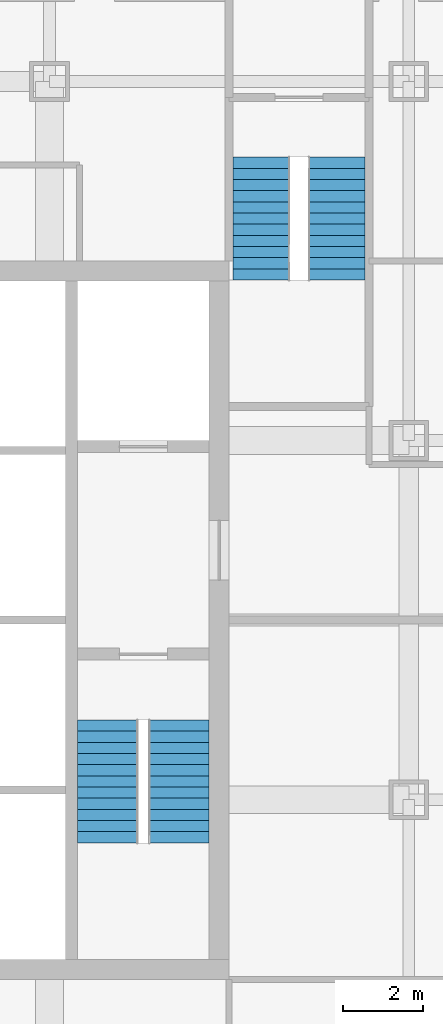
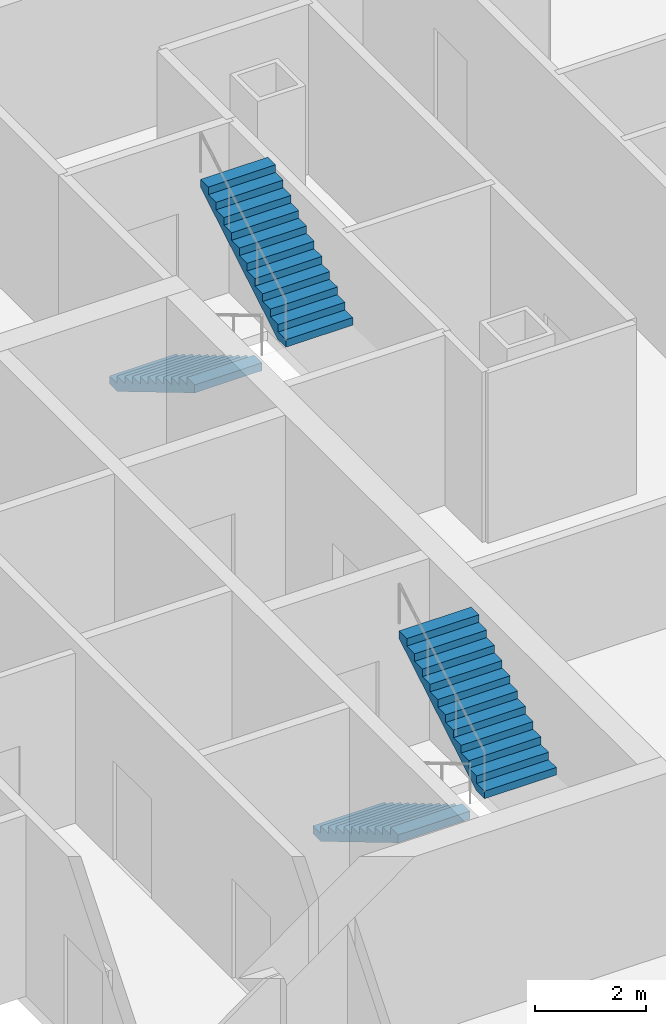
# One storey, part 12 of 13: 4 stair flights, 2 elements without a shape of their own.
"""IFC4 building model written with IfcOpenShell, lengths in metres."""

from ifc_helpers import new_model, si_unit, direction, frame, origin, place, context, subcontext, project, spatial, polyline, outline, extrude, material, type_object, element, aggregate, save


model = new_model("IFC4")

# Units and contexts
model_context = context("Model", 3, precision=1e-05, world=origin(), true_north=direction((0.0, 1.0)))
body_context = subcontext(model_context, "Body", "Model", "MODEL_VIEW")
ifc_project = project(units=[si_unit("LENGTHUNIT", "METRE"), si_unit("AREAUNIT", "SQUARE_METRE"), si_unit("VOLUMEUNIT", "CUBIC_METRE"), si_unit("PLANEANGLEUNIT", "RADIAN"), si_unit("MASSUNIT", "GRAM", prefix="KILO")], contexts=[model_context])

# Site, building, storey
site_placement = place(None, origin())
site = spatial("IfcSite", under=ifc_project, at=site_placement, CompositionType="ELEMENT")
building_placement = place(site_placement, origin())
building = spatial("IfcBuilding", under=site, at=building_placement, Name="Malebo Sky Hospital", CompositionType="ELEMENT")
storey_placement = place(building_placement, frame((0.0, 0.0, 43.0)))
storey = spatial("IfcBuildingStorey", under=building, at=storey_placement, Name="L09", CompositionType="ELEMENT", Elevation=43.0)

# Stair, stair flights
ifc_material = material(Name="Concrete C40/50", Category="concrete")
stair_type_1 = type_object("IfcStairType", Name="HALF-TURN STAIR 1400 R167", PredefinedType="HALF_TURN_STAIR", material=ifc_material)
stair_1_placement = place(storey_placement, origin())
stair_1 = element("IfcStair", 1, at=stair_1_placement, inside=storey, type_object=stair_type_1, Name="Stair S3 L09 type ST1B", PredefinedType="HALF_TURN_STAIR")
stair_flight_type_1 = type_object("IfcStairFlightType", Name="STAIR FLIGHT 1400 R167", PredefinedType="STRAIGHT", material=ifc_material)
stair_flight_1_placement = place(storey_placement, frame((69.800048828125, 73.60009765625, 0.0), z_axis=(0.0, 0.0, 1.0), x_axis=(0.0, -1.0, 0.0)))
stair_flight_1 = element("IfcStairFlight", 2, at=stair_flight_1_placement, type_object=stair_flight_type_1, Name="S3 flight 1 type SF1B", NumberOfRisers=12, NumberOfTreads=11, PredefinedType="STRAIGHT", RiserHeight=0.166666667, TreadLength=0.28, context=body_context, shape_type="SweptSolid", body=[
    extrude(outline(polyline([(0.0, 0.0), (0.0, 0.166748046875), (0.280029296875, 0.166748046875), (0.280029296875, 0.333251953125), (0.56005859375, 0.333251953125), (0.56005859375, 0.5), (0.840087890625, 0.5), (0.840087890625, 0.666748046875), (1.1201171875, 0.666748046875), (1.1201171875, 0.833251953125), (1.39990234375, 0.833251953125), (1.39990234375, 1.0), (1.679931640625, 1.0), (1.679931640625, 1.166748046875), (1.9599609375, 1.166748046875), (1.9599609375, 1.333251953125), (2.239990234375, 1.333251953125), (2.239990234375, 1.5), (2.52001953125, 1.5), (2.52001953125, 1.666748046875), (2.800048828125, 1.666748046875), (2.800048828125, 1.833251953125), (3.080078125, 1.833251953125), (3.080078125, 2.0), (3.080078125, 1.658935546875), (0.29296875, 0.0), (0.0, 0.0)])), frame((0.0, 0.699951171875, 0.0), z_axis=(0.0, -1.0, 0.0), x_axis=(1.0, 0.0, 0.0)), (0.0, 0.0, 1.0), 1.39990234375),
])
stair_flight_2_placement = place(storey_placement, frame((71.699951171875, 70.52001953125, 2.0), z_axis=(0.0, 0.0, 1.0), x_axis=(0.0, 1.0, 0.0)))
stair_flight_2 = element("IfcStairFlight", 3, at=stair_flight_2_placement, type_object=stair_flight_type_1, Name="S3 flight 2 type SF1B", NumberOfRisers=12, NumberOfTreads=11, PredefinedType="STRAIGHT", RiserHeight=0.166666667, TreadLength=0.28, context=body_context, shape_type="SweptSolid", body=[
    extrude(outline(polyline([(0.0, 0.0), (0.0, 0.166748046875), (0.280029296875, 0.166748046875), (0.280029296875, 0.333251953125), (0.56005859375, 0.333251953125), (0.56005859375, 0.5), (0.840087890625, 0.5), (0.840087890625, 0.666748046875), (1.1201171875, 0.666748046875), (1.1201171875, 0.833251953125), (1.39990234375, 0.833251953125), (1.39990234375, 1.0), (1.679931640625, 1.0), (1.679931640625, 1.166748046875), (1.9599609375, 1.166748046875), (1.9599609375, 1.333251953125), (2.239990234375, 1.333251953125), (2.239990234375, 1.5), (2.52001953125, 1.5), (2.52001953125, 1.666748046875), (2.800048828125, 1.666748046875), (2.800048828125, 1.833251953125), (3.080078125, 1.833251953125), (3.080078125, 2.0), (3.080078125, 1.658935546875), (0.29296875, 0.0), (0.0, 0.0)])), frame((0.0, 0.699951171875, 0.0), z_axis=(0.0, -1.0, 0.0), x_axis=(1.0, 0.0, 0.0)), (0.0, 0.0, 1.0), 1.39990234375),
])
aggregate(stair_1, [stair_flight_1, stair_flight_2])

stair_type_2 = type_object("IfcStairType", Name="HALF-TURN STAIR 1500 R167", PredefinedType="HALF_TURN_STAIR", material=ifc_material)
stair_2_placement = place(storey_placement, origin())
stair_2 = element("IfcStair", 4, at=stair_2_placement, inside=storey, type_object=stair_type_2, Name="Stair S2 L09 type ST1", PredefinedType="HALF_TURN_STAIR")
stair_flight_type_2 = type_object("IfcStairFlightType", Name="STAIR FLIGHT 1500 R167", PredefinedType="STRAIGHT", material=ifc_material)
stair_flight_3_placement = place(storey_placement, frame((65.949951171875, 59.5, 0.0), z_axis=(0.0, 0.0, 1.0), x_axis=(0.0, -1.0, 0.0)))
stair_flight_3 = element("IfcStairFlight", 5, at=stair_flight_3_placement, type_object=stair_flight_type_2, Name="S2 flight 1 type SF1", NumberOfRisers=12, NumberOfTreads=11, PredefinedType="STRAIGHT", RiserHeight=0.166666667, TreadLength=0.28, context=body_context, shape_type="SweptSolid", body=[
    extrude(outline(polyline([(0.0, 0.0), (0.0, 0.166748046875), (0.280029296875, 0.166748046875), (0.280029296875, 0.333251953125), (0.56005859375, 0.333251953125), (0.56005859375, 0.5), (0.840087890625, 0.5), (0.840087890625, 0.666748046875), (1.1201171875, 0.666748046875), (1.1201171875, 0.833251953125), (1.39990234375, 0.833251953125), (1.39990234375, 1.0), (1.679931640625, 1.0), (1.679931640625, 1.166748046875), (1.9599609375, 1.166748046875), (1.9599609375, 1.333251953125), (2.239990234375, 1.333251953125), (2.239990234375, 1.5), (2.52001953125, 1.5), (2.52001953125, 1.666748046875), (2.800048828125, 1.666748046875), (2.800048828125, 1.833251953125), (3.080078125, 1.833251953125), (3.080078125, 2.0), (3.080078125, 1.658935546875), (0.29296875, 0.0), (0.0, 0.0)])), frame((0.0, 0.75, 0.0), z_axis=(0.0, -1.0, 0.0), x_axis=(1.0, 0.0, 0.0)), (0.0, 0.0, 1.0), 1.5),
])
stair_flight_4_placement = place(storey_placement, frame((67.75, 56.419921875, 2.0), z_axis=(0.0, 0.0, 1.0), x_axis=(0.0, 1.0, 0.0)))
stair_flight_4 = element("IfcStairFlight", 6, at=stair_flight_4_placement, type_object=stair_flight_type_2, Name="S2 flight 2 type SF1", NumberOfRisers=12, NumberOfTreads=11, PredefinedType="STRAIGHT", RiserHeight=0.166666667, TreadLength=0.28, context=body_context, shape_type="SweptSolid", body=[
    extrude(outline(polyline([(0.0, 0.0), (0.0, 0.166748046875), (0.280029296875, 0.166748046875), (0.280029296875, 0.333251953125), (0.56005859375, 0.333251953125), (0.56005859375, 0.5), (0.840087890625, 0.5), (0.840087890625, 0.666748046875), (1.1201171875, 0.666748046875), (1.1201171875, 0.833251953125), (1.39990234375, 0.833251953125), (1.39990234375, 1.0), (1.679931640625, 1.0), (1.679931640625, 1.166748046875), (1.9599609375, 1.166748046875), (1.9599609375, 1.333251953125), (2.239990234375, 1.333251953125), (2.239990234375, 1.5), (2.52001953125, 1.5), (2.52001953125, 1.666748046875), (2.800048828125, 1.666748046875), (2.800048828125, 1.833251953125), (3.080078125, 1.833251953125), (3.080078125, 2.0), (3.080078125, 1.658935546875), (0.29296875, 0.0), (0.0, 0.0)])), frame((0.0, 0.75, 0.0), z_axis=(0.0, -1.0, 0.0), x_axis=(1.0, 0.0, 0.0)), (0.0, 0.0, 1.0), 1.5),
])
aggregate(stair_2, [stair_flight_3, stair_flight_4])

save(model, "model.ifc")
